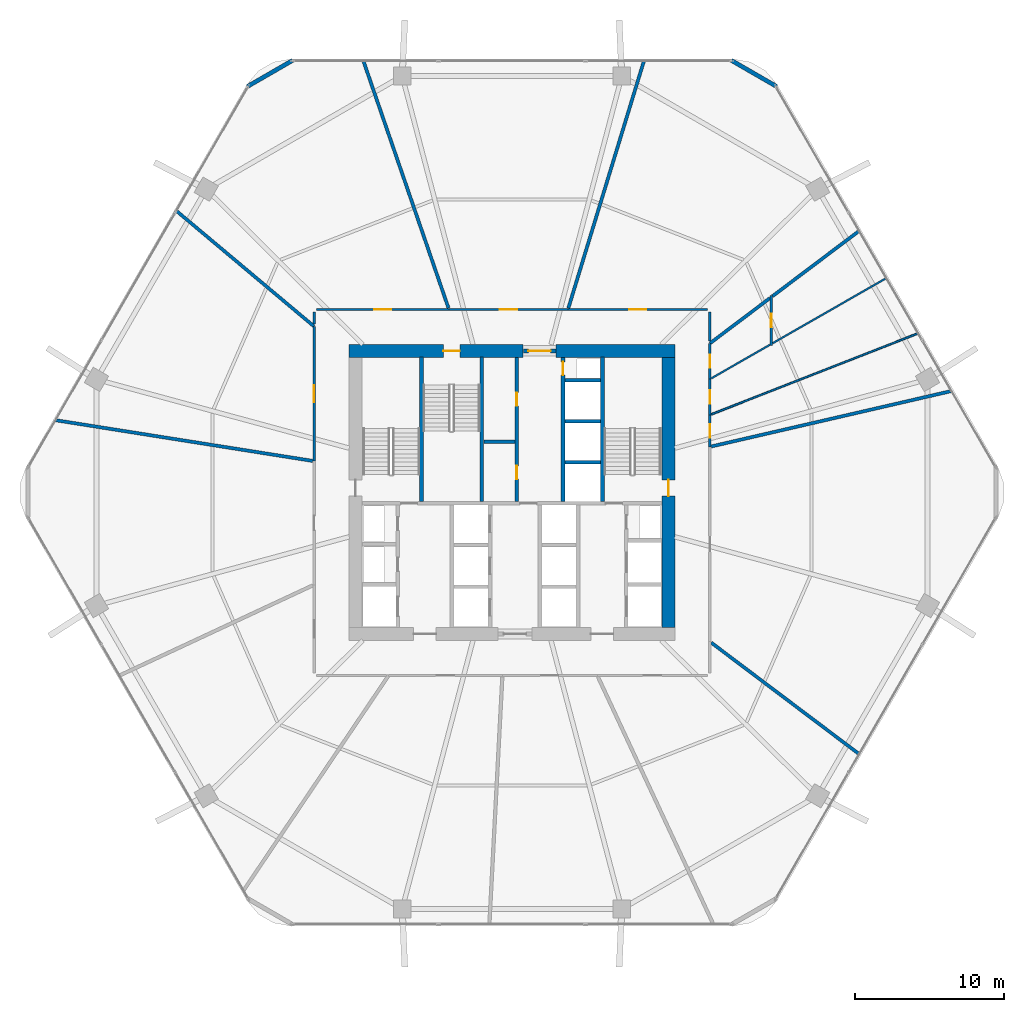
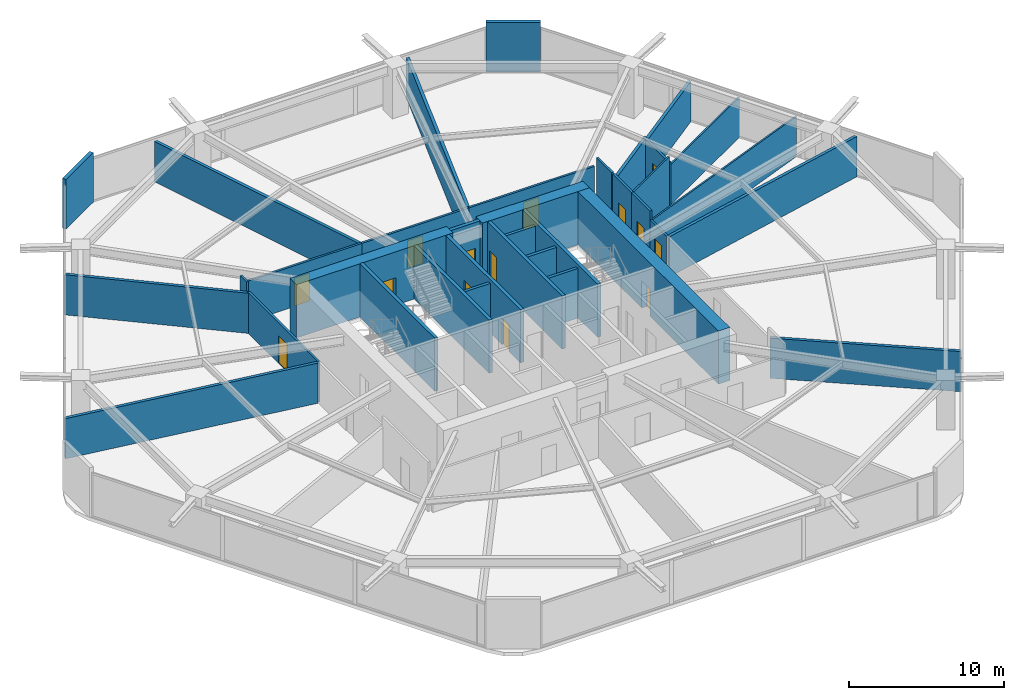
# One storey, part 23 of 25: 36 walls, 14 doors, 14 openings.
"""IFC4 building model written with IfcOpenShell, lengths in metres."""

from ifc_helpers import new_model, si_unit, direction, frame, frame_2d, origin, place, context, subcontext, project, spatial, rectangle, extrude, material, layer, layer_set, type_object, element, fill, save


model = new_model("IFC4")

# Units and contexts
model_context = context("Model", 3, precision=1e-05, world=origin(), true_north=direction((0.0, 1.0)))
body_context = subcontext(model_context, "Body", "Model", "MODEL_VIEW")
ifc_project = project(units=[si_unit("LENGTHUNIT", "METRE"), si_unit("AREAUNIT", "SQUARE_METRE"), si_unit("VOLUMEUNIT", "CUBIC_METRE"), si_unit("PLANEANGLEUNIT", "RADIAN"), si_unit("MASSUNIT", "GRAM", prefix="KILO")], contexts=[model_context])

# Site, building, storey
site_placement = place(None, origin())
site = spatial("IfcSite", under=ifc_project, at=site_placement, CompositionType="ELEMENT")
building_placement = place(site_placement, origin())
building = spatial("IfcBuilding", under=site, at=building_placement, Name="Zuhravey Tower", CompositionType="ELEMENT")
storey_placement = place(building_placement, frame((0.0, 0.0, 45.60009765625)))
storey = spatial("IfcBuildingStorey", under=building, at=storey_placement, Name="L11", CompositionType="ELEMENT", Elevation=45.60009765625)

# Wall
ifc_material_1 = material(Name="Concrete C60/75", Category="concrete")
ifc_layer_1 = layer(ifc_material_1, 0.85009765625)
ifc_layer_set_1 = layer_set([ifc_layer_1], Name="Concrete C60/75")
wall_type_1 = type_object("IfcWallType", Name="Core Shear Wall 850", PredefinedType="SHEAR", material=ifc_layer_set_1)
wall_1_placement = place(storey_placement, frame((46.925048828125, 41.5, 0.0), z_axis=(0.0, 0.0, 1.0), x_axis=(-1.0, 0.0, 0.0)))
element("IfcWall", 1, at=wall_1_placement, inside=storey, type_object=wall_type_1, Name="L11 North-East Core Shear Wall CW85", PredefinedType="SHEAR", context=body_context, shape_type="SweptSolid", body=[
    extrude(rectangle(XDim=7.97509765625, YDim=0.85009765625, at=frame_2d((3.987548828125, 0.0))), origin(), (0.0, 0.0, 1.0), 4.199951171875),
])

# Wall, opening, door
wall_2_placement = place(storey_placement, frame((36.75, 41.5, 0.0), z_axis=(0.0, 0.0, 1.0), x_axis=(-1.0, 0.0, 0.0)))
wall_2 = element("IfcWall", 2, at=wall_2_placement, inside=storey, type_object=wall_type_1, Name="L11 North-West Core Shear Wall CW85", PredefinedType="SHEAR", context=body_context, shape_type="SweptSolid", body=[
    extrude(rectangle(XDim=11.675048828125, YDim=0.85009765625, at=frame_2d((5.83740234375, 0.0))), origin(), (0.0, 0.0, 1.0), 4.199951171875),
])
opening_1_placement = place(wall_2_placement, frame((4.25, 0.0, 0.0)))
opening_1 = element("IfcOpeningElement", 3, at=opening_1_placement, cuts=wall_2, Name="Opening STD1", PredefinedType="OPENING", context=body_context, shape_type="SweptSolid", body=[
    extrude(rectangle(XDim=1.10009765625, YDim=2.14990234375, at=frame_2d((0.550048828125, 1.074951171875))), frame((0.0, 0.43701171875, 0.0), z_axis=(0.0, -1.0, 0.0), x_axis=(1.0, 0.0, 0.0)), (0.0, 0.0, 1.0), 0.8740234375),
])
ifc_material_2 = material(Name="Galvanised fire-rated steel leaf", Category="steel")
door_type_1 = type_object("IfcDoorType", Name="Protected Stair Fire Door 1100x2150", OperationType="NOTDEFINED", PredefinedType="USERDEFINED", material=ifc_material_2)
door_1_placement = place(opening_1_placement, origin())
door_1 = element("IfcDoor", 4, at=door_1_placement, inside=storey, type_object=door_type_1, Name="L11 Stair ST3 Door", ObjectType="EXITDOOR", OperationType="SINGLE_SWING_LEFT", OverallHeight=2.14990234375, OverallWidth=1.10009765625, PredefinedType="USERDEFINED", context=body_context, shape_type="SweptSolid", body=[
    extrude(rectangle(XDim=1.10009765625, YDim=2.14990234375, at=frame_2d((0.550048828125, 1.074951171875))), frame((0.0, 0.02490234375, 0.0), z_axis=(0.0, -1.0, 0.0), x_axis=(1.0, 0.0, 0.0)), (0.0, 0.0, 1.0), 0.050048828125),
])
fill(opening_1, door_1)

wall_3_placement = place(storey_placement, frame((46.5, 22.925048828125, 0.0), z_axis=(0.0, 0.0, 1.0), x_axis=(0.0, 1.0, 0.0)))
wall_3 = element("IfcWall", 5, at=wall_3_placement, inside=storey, type_object=wall_type_1, Name="L11 East Core Shear Wall CW85", PredefinedType="SHEAR", context=body_context, shape_type="SweptSolid", body=[
    extrude(rectangle(XDim=18.14990234375, YDim=0.85009765625, at=frame_2d((9.074951171875, 0.0))), origin(), (0.0, 0.0, 1.0), 4.199951171875),
])
opening_2_placement = place(wall_3_placement, frame((8.824951171875, 0.0, 0.0)))
opening_2 = element("IfcOpeningElement", 6, at=opening_2_placement, cuts=wall_3, Name="Opening STD1", PredefinedType="OPENING", context=body_context, shape_type="SweptSolid", body=[
    extrude(rectangle(XDim=1.10009765625, YDim=2.14990234375, at=frame_2d((0.550048828125, 1.074951171875))), frame((0.0, 0.43701171875, 0.0), z_axis=(0.0, -1.0, 0.0), x_axis=(1.0, 0.0, 0.0)), (0.0, 0.0, 1.0), 0.8740234375),
])
door_2_placement = place(opening_2_placement, origin())
door_2 = element("IfcDoor", 7, at=door_2_placement, inside=storey, type_object=door_type_1, Name="L11 Stair ST2 Door", ObjectType="EXITDOOR", OperationType="SINGLE_SWING_RIGHT", OverallHeight=2.14990234375, OverallWidth=1.10009765625, PredefinedType="USERDEFINED", context=body_context, shape_type="SweptSolid", body=[
    extrude(rectangle(XDim=1.10009765625, YDim=2.14990234375, at=frame_2d((0.550048828125, 1.074951171875))), frame((0.0, 0.02490234375, 0.0), z_axis=(0.0, -1.0, 0.0), x_axis=(1.0, 0.0, 0.0)), (0.0, 0.0, 1.0), 0.050048828125),
])
fill(opening_2, door_2)

ifc_material_3 = material(Name="Gypsum fire-rated stud partition")
ifc_layer_2 = layer(ifc_material_3, 0.159912109375)
ifc_layer_set_2 = layer_set([ifc_layer_2], Name="Gypsum fire-rated stud partition")
wall_type_2 = type_object("IfcWallType", Name="Corridor Fire Partition 160", PredefinedType="PARTITIONING", material=ifc_layer_set_2)
wall_4_placement = place(storey_placement, frame((49.284912109375, 35.067138671875, 0.0), z_axis=(0.0, 0.0, 1.0), x_axis=(0.0, 1.0, 0.0)))
wall_4 = element("IfcWall", 8, at=wall_4_placement, inside=storey, type_object=wall_type_2, Name="L11 IW16 Partition 019", PredefinedType="PARTITIONING", context=body_context, shape_type="SweptSolid", body=[
    extrude(rectangle(XDim=2.13916015625, YDim=0.159912109375, at=frame_2d((1.069580078125, 0.0))), origin(), (0.0, 0.0, 1.0), 3.219970703125),
])
opening_3_placement = place(wall_4_placement, frame((0.61962890625, 0.0, 0.0)))
opening_3 = element("IfcOpeningElement", 9, at=opening_3_placement, cuts=wall_4, Name="Opening RSD1", PredefinedType="OPENING", context=body_context, shape_type="SweptSolid", body=[
    extrude(rectangle(XDim=0.89990234375, YDim=2.10009765625, at=frame_2d((0.449951171875, 1.050048828125))), frame((0.0, 0.092041015625, 0.0), z_axis=(0.0, -1.0, 0.0), x_axis=(1.0, 0.0, 0.0)), (0.0, 0.0, 1.0), 0.183837890625),
])
ifc_material_4 = material(Name="Galvanised fire-rated steel access leaf", Category="steel")
door_type_2 = type_object("IfcDoorType", Name="Riser & Shaft Access Fire Door 900x2100", OperationType="NOTDEFINED", PredefinedType="DOOR", material=ifc_material_4)
door_3_placement = place(opening_3_placement, frame((0.89990234375, 0.0, 0.0), z_axis=(0.0, 0.0, 1.0), x_axis=(-1.0, 0.0, 0.0)))
door_3 = element("IfcDoor", 10, at=door_3_placement, inside=storey, type_object=door_type_2, Name="L11 Door 019.1", OperationType="SINGLE_SWING_LEFT", OverallHeight=2.10009765625, OverallWidth=0.89990234375, PredefinedType="DOOR", context=body_context, shape_type="SweptSolid", body=[
    extrude(rectangle(XDim=0.89990234375, YDim=2.10009765625, at=frame_2d((0.449951171875, 1.050048828125))), frame((0.0, 0.02490234375, 0.0), z_axis=(0.0, -1.0, 0.0), x_axis=(1.0, 0.0, 0.0)), (0.0, 0.0, 1.0), 0.050048828125),
])
fill(opening_3, door_3)

wall_5_placement = place(storey_placement, frame((49.284912109375, 37.206298828125, 0.0), z_axis=(0.0, 0.0, 1.0), x_axis=(0.0, 1.0, 0.0)))
wall_5 = element("IfcWall", 11, at=wall_5_placement, inside=storey, type_object=wall_type_2, Name="L11 IW16 Partition 020", PredefinedType="PARTITIONING", context=body_context, shape_type="SweptSolid", body=[
    extrude(rectangle(XDim=2.402099609375, YDim=0.159912109375, at=frame_2d((1.201171875, 0.0))), origin(), (0.0, 0.0, 1.0), 3.919921875),
])
opening_4_placement = place(wall_5_placement, frame((0.751220703125, 0.0, 0.0)))
opening_4 = element("IfcOpeningElement", 12, at=opening_4_placement, cuts=wall_5, Name="Opening RSD1", PredefinedType="OPENING", context=body_context, shape_type="SweptSolid", body=[
    extrude(rectangle(XDim=0.89990234375, YDim=2.10009765625, at=frame_2d((0.449951171875, 1.050048828125))), frame((0.0, 0.092041015625, 0.0), z_axis=(0.0, -1.0, 0.0), x_axis=(1.0, 0.0, 0.0)), (0.0, 0.0, 1.0), 0.183837890625),
])
door_4_placement = place(opening_4_placement, frame((0.89990234375, 0.0, 0.0), z_axis=(0.0, 0.0, 1.0), x_axis=(-1.0, 0.0, 0.0)))
door_4 = element("IfcDoor", 13, at=door_4_placement, inside=storey, type_object=door_type_2, Name="L11 Door 020.1", OperationType="SINGLE_SWING_RIGHT", OverallHeight=2.10009765625, OverallWidth=0.89990234375, PredefinedType="DOOR", context=body_context, shape_type="SweptSolid", body=[
    extrude(rectangle(XDim=0.89990234375, YDim=2.10009765625, at=frame_2d((0.449951171875, 1.050048828125))), frame((0.0, 0.02490234375, 0.0), z_axis=(0.0, -1.0, 0.0), x_axis=(1.0, 0.0, 0.0)), (0.0, 0.0, 1.0), 0.050048828125),
])
fill(opening_4, door_4)

wall_6_placement = place(storey_placement, frame((53.405029296875, 45.2158203125, 0.0), z_axis=(0.0, 0.0, 1.0), x_axis=(0.0, -1.0, 0.0)))
wall_6 = element("IfcWall", 14, at=wall_6_placement, inside=storey, type_object=wall_type_2, Name="L11 IW16 Partition 021", PredefinedType="PARTITIONING", context=body_context, shape_type="SweptSolid", body=[
    extrude(rectangle(XDim=3.340087890625, YDim=0.159912109375, at=frame_2d((1.669921875, 0.0))), origin(), (0.0, 0.0, 1.0), 3.469970703125),
])
opening_5_placement = place(wall_6_placement, frame((1.219970703125, 0.0, 0.0)))
opening_5 = element("IfcOpeningElement", 15, at=opening_5_placement, cuts=wall_6, Name="Opening RSD1", PredefinedType="OPENING", context=body_context, shape_type="SweptSolid", body=[
    extrude(rectangle(XDim=0.89990234375, YDim=2.10009765625, at=frame_2d((0.449951171875, 1.050048828125))), frame((0.0, 0.092041015625, 0.0), z_axis=(0.0, -1.0, 0.0), x_axis=(1.0, 0.0, 0.0)), (0.0, 0.0, 1.0), 0.183837890625),
])
door_5_placement = place(opening_5_placement, origin())
door_5 = element("IfcDoor", 16, at=door_5_placement, inside=storey, type_object=door_type_2, Name="L11 Door 021.1", OperationType="SINGLE_SWING_LEFT", OverallHeight=2.10009765625, OverallWidth=0.89990234375, PredefinedType="DOOR", context=body_context, shape_type="SweptSolid", body=[
    extrude(rectangle(XDim=0.89990234375, YDim=2.10009765625, at=frame_2d((0.449951171875, 1.050048828125))), frame((0.0, 0.02490234375, 0.0), z_axis=(0.0, -1.0, 0.0), x_axis=(1.0, 0.0, 0.0)), (0.0, 0.0, 1.0), 0.050048828125),
])
fill(opening_5, door_5)

wall_7_placement = place(storey_placement, frame((49.284912109375, 39.6083984375, 0.0), z_axis=(0.0, 0.0, 1.0), x_axis=(0.0, 1.0, 0.0)))
wall_7 = element("IfcWall", 17, at=wall_7_placement, inside=storey, type_object=wall_type_2, Name="L11 IW16 Partition 022", PredefinedType="PARTITIONING", context=body_context, shape_type="SweptSolid", body=[
    extrude(rectangle(XDim=2.402587890625, YDim=0.159912109375, at=frame_2d((1.201171875, 0.0))), origin(), (0.0, 0.0, 1.0), 3.919921875),
])
opening_6_placement = place(wall_7_placement, frame((0.751220703125, 0.0, 0.0)))
opening_6 = element("IfcOpeningElement", 18, at=opening_6_placement, cuts=wall_7, Name="Opening RSD1", PredefinedType="OPENING", context=body_context, shape_type="SweptSolid", body=[
    extrude(rectangle(XDim=0.89990234375, YDim=2.10009765625, at=frame_2d((0.449951171875, 1.050048828125))), frame((0.0, 0.092041015625, 0.0), z_axis=(0.0, -1.0, 0.0), x_axis=(1.0, 0.0, 0.0)), (0.0, 0.0, 1.0), 0.183837890625),
])
door_6_placement = place(opening_6_placement, frame((0.89990234375, 0.0, 0.0), z_axis=(0.0, 0.0, 1.0), x_axis=(-1.0, 0.0, 0.0)))
door_6 = element("IfcDoor", 19, at=door_6_placement, inside=storey, type_object=door_type_2, Name="L11 Door 022.1", OperationType="SINGLE_SWING_RIGHT", OverallHeight=2.10009765625, OverallWidth=0.89990234375, PredefinedType="DOOR", context=body_context, shape_type="SweptSolid", body=[
    extrude(rectangle(XDim=0.89990234375, YDim=2.10009765625, at=frame_2d((0.449951171875, 1.050048828125))), frame((0.0, 0.02490234375, 0.0), z_axis=(0.0, -1.0, 0.0), x_axis=(1.0, 0.0, 0.0)), (0.0, 0.0, 1.0), 0.050048828125),
])
fill(opening_6, door_6)

wall_8_placement = place(storey_placement, frame((49.125, 44.284912109375, 0.0), z_axis=(0.0, 0.0, 1.0), x_axis=(-1.0, 0.0, 0.0)))
wall_8 = element("IfcWall", 20, at=wall_8_placement, inside=storey, type_object=wall_type_2, Name="L11 IW16 Partition 023", PredefinedType="PARTITIONING", context=body_context, shape_type="SweptSolid", body=[
    extrude(rectangle(XDim=9.369140625, YDim=0.159912109375, at=frame_2d((4.6845703125, 0.0))), origin(), (0.0, 0.0, 1.0), 3.219970703125),
])
opening_7_placement = place(wall_8_placement, frame((4.109619140625, 0.0, 0.0)))
opening_7 = element("IfcOpeningElement", 21, at=opening_7_placement, cuts=wall_8, Name="Opening CLD1", PredefinedType="OPENING", context=body_context, shape_type="SweptSolid", body=[
    extrude(rectangle(XDim=1.14990234375, YDim=2.199951171875, at=frame_2d((0.574951171875, 1.10009765625))), frame((0.0, 0.092041015625, 0.0), z_axis=(0.0, -1.0, 0.0), x_axis=(1.0, 0.0, 0.0)), (0.0, 0.0, 1.0), 0.183837890625),
])
ifc_material_5 = material(Name="Acoustic timber leaf with vision lite", Category="wood")
door_type_3 = type_object("IfcDoorType", Name="Classroom Acoustic Door 1150x2200", OperationType="NOTDEFINED", PredefinedType="DOOR", material=ifc_material_5)
door_7_placement = place(opening_7_placement, frame((1.14990234375, 0.0, 0.0), z_axis=(0.0, 0.0, 1.0), x_axis=(-1.0, 0.0, 0.0)))
door_7 = element("IfcDoor", 22, at=door_7_placement, inside=storey, type_object=door_type_3, Name="L11 Door 023.1", OperationType="SINGLE_SWING_LEFT", OverallHeight=2.199951171875, OverallWidth=1.14990234375, PredefinedType="DOOR", context=body_context, shape_type="SweptSolid", body=[
    extrude(rectangle(XDim=1.14990234375, YDim=2.199951171875, at=frame_2d((0.574951171875, 1.10009765625))), frame((0.0, 0.02490234375, 0.0), z_axis=(0.0, -1.0, 0.0), x_axis=(1.0, 0.0, 0.0)), (0.0, 0.0, 1.0), 0.050048828125),
])
fill(opening_7, door_7)

wall_9_placement = place(storey_placement, frame((39.755859375, 44.284912109375, 0.0), z_axis=(0.0, 0.0, 1.0), x_axis=(-1.0, 0.0, 0.0)))
wall_9 = element("IfcWall", 23, at=wall_9_placement, inside=storey, type_object=wall_type_2, Name="L11 IW16 Partition 024", PredefinedType="PARTITIONING", context=body_context, shape_type="SweptSolid", body=[
    extrude(rectangle(XDim=7.98583984375, YDim=0.159912109375, at=frame_2d((3.992919921875, 0.0))), origin(), (0.0, 0.0, 1.0), 3.219970703125),
])
opening_8_placement = place(wall_9_placement, frame((3.41796875, 0.0, 0.0)))
opening_8 = element("IfcOpeningElement", 24, at=opening_8_placement, cuts=wall_9, Name="Opening CLD1", PredefinedType="OPENING", context=body_context, shape_type="SweptSolid", body=[
    extrude(rectangle(XDim=1.14990234375, YDim=2.199951171875, at=frame_2d((0.574951171875, 1.10009765625))), frame((0.0, 0.092041015625, 0.0), z_axis=(0.0, -1.0, 0.0), x_axis=(1.0, 0.0, 0.0)), (0.0, 0.0, 1.0), 0.183837890625),
])
door_8_placement = place(opening_8_placement, frame((1.14990234375, 0.0, 0.0), z_axis=(0.0, 0.0, 1.0), x_axis=(-1.0, 0.0, 0.0)))
door_8 = element("IfcDoor", 25, at=door_8_placement, inside=storey, type_object=door_type_3, Name="L11 Door 024.1", OperationType="SINGLE_SWING_RIGHT", OverallHeight=2.199951171875, OverallWidth=1.14990234375, PredefinedType="DOOR", context=body_context, shape_type="SweptSolid", body=[
    extrude(rectangle(XDim=1.14990234375, YDim=2.199951171875, at=frame_2d((0.574951171875, 1.10009765625))), frame((0.0, 0.02490234375, 0.0), z_axis=(0.0, -1.0, 0.0), x_axis=(1.0, 0.0, 0.0)), (0.0, 0.0, 1.0), 0.050048828125),
])
fill(opening_8, door_8)

wall_10_placement = place(storey_placement, frame((31.77001953125, 44.284912109375, 0.0), z_axis=(0.0, 0.0, 1.0), x_axis=(-1.0, 0.0, 0.0)))
wall_10 = element("IfcWall", 26, at=wall_10_placement, inside=storey, type_object=wall_type_2, Name="L11 IW16 Partition 025", PredefinedType="PARTITIONING", context=body_context, shape_type="SweptSolid", body=[
    extrude(rectangle(XDim=8.89501953125, YDim=0.159912109375, at=frame_2d((4.447509765625, 0.0))), origin(), (0.0, 0.0, 1.0), 3.219970703125),
])
opening_9_placement = place(wall_10_placement, frame((3.872314453125, 0.0, 0.0)))
opening_9 = element("IfcOpeningElement", 27, at=opening_9_placement, cuts=wall_10, Name="Opening CLD1", PredefinedType="OPENING", context=body_context, shape_type="SweptSolid", body=[
    extrude(rectangle(XDim=1.14990234375, YDim=2.199951171875, at=frame_2d((0.574951171875, 1.10009765625))), frame((0.0, 0.092041015625, 0.0), z_axis=(0.0, -1.0, 0.0), x_axis=(1.0, 0.0, 0.0)), (0.0, 0.0, 1.0), 0.183837890625),
])
door_9_placement = place(opening_9_placement, frame((1.14990234375, 0.0, 0.0), z_axis=(0.0, 0.0, 1.0), x_axis=(-1.0, 0.0, 0.0)))
door_9 = element("IfcDoor", 28, at=door_9_placement, inside=storey, type_object=door_type_3, Name="L11 Door 025.1", OperationType="SINGLE_SWING_LEFT", OverallHeight=2.199951171875, OverallWidth=1.14990234375, PredefinedType="DOOR", context=body_context, shape_type="SweptSolid", body=[
    extrude(rectangle(XDim=1.14990234375, YDim=2.199951171875, at=frame_2d((0.574951171875, 1.10009765625))), frame((0.0, 0.02490234375, 0.0), z_axis=(0.0, -1.0, 0.0), x_axis=(1.0, 0.0, 0.0)), (0.0, 0.0, 1.0), 0.050048828125),
])
fill(opening_9, door_9)

wall_11_placement = place(storey_placement, frame((22.715087890625, 43.1474609375, 0.0), z_axis=(0.0, 0.0, 1.0), x_axis=(0.0, -1.0, 0.0)))
wall_11 = element("IfcWall", 29, at=wall_11_placement, inside=storey, type_object=wall_type_2, Name="L11 IW16 Partition 026", PredefinedType="PARTITIONING", context=body_context, shape_type="SweptSolid", body=[
    extrude(rectangle(XDim=9.04345703125, YDim=0.159912109375, at=frame_2d((4.521728515625, 0.0))), origin(), (0.0, 0.0, 1.0), 3.219970703125),
])
opening_10_placement = place(wall_11_placement, frame((3.946533203125, 0.0, 0.0)))
opening_10 = element("IfcOpeningElement", 30, at=opening_10_placement, cuts=wall_11, Name="Opening CLD1", PredefinedType="OPENING", context=body_context, shape_type="SweptSolid", body=[
    extrude(rectangle(XDim=1.14990234375, YDim=2.199951171875, at=frame_2d((0.574951171875, 1.10009765625))), frame((0.0, 0.092041015625, 0.0), z_axis=(0.0, -1.0, 0.0), x_axis=(1.0, 0.0, 0.0)), (0.0, 0.0, 1.0), 0.183837890625),
])
door_10_placement = place(opening_10_placement, frame((1.14990234375, 0.0, 0.0), z_axis=(0.0, 0.0, 1.0), x_axis=(-1.0, 0.0, 0.0)))
door_10 = element("IfcDoor", 31, at=door_10_placement, inside=storey, type_object=door_type_3, Name="L11 Door 026.1", OperationType="SINGLE_SWING_RIGHT", OverallHeight=2.199951171875, OverallWidth=1.14990234375, PredefinedType="DOOR", context=body_context, shape_type="SweptSolid", body=[
    extrude(rectangle(XDim=1.14990234375, YDim=2.199951171875, at=frame_2d((0.574951171875, 1.10009765625))), frame((0.0, 0.02490234375, 0.0), z_axis=(0.0, -1.0, 0.0), x_axis=(1.0, 0.0, 0.0)), (0.0, 0.0, 1.0), 0.050048828125),
])
fill(opening_10, door_10)

# Walls
wall_12_placement = place(storey_placement, frame((49.284912109375, 42.15869140625, 0.0), z_axis=(0.0, 0.0, 1.0), x_axis=(0.0, 1.0, 0.0)))
element("IfcWall", 32, at=wall_12_placement, inside=storey, type_object=wall_type_2, Name="L11 IW16 Partition 048", PredefinedType="PARTITIONING", context=body_context, shape_type="SweptSolid", body=[
    extrude(rectangle(XDim=1.96630859375, YDim=0.159912109375, at=frame_2d((0.983154296875, 0.0))), origin(), (0.0, 0.0, 1.0), 3.919921875),
])
wall_13_placement = place(storey_placement, frame((22.715087890625, 44.125, 0.0), z_axis=(0.0, 0.0, 1.0), x_axis=(0.0, -1.0, 0.0)))
element("IfcWall", 33, at=wall_13_placement, inside=storey, type_object=wall_type_2, Name="L11 IW16 Partition 051", PredefinedType="PARTITIONING", context=body_context, shape_type="SweptSolid", body=[
    extrude(rectangle(XDim=0.823486328125, YDim=0.159912109375, at=frame_2d((0.41162109375, 0.0))), origin(), (0.0, 0.0, 1.0), 3.919921875),
])
ifc_material_6 = material(Name="Precast concrete C40/50", Category="concrete")
ifc_layer_3 = layer(ifc_material_6, 0.280029296875)
ifc_layer_set_3 = layer_set([ifc_layer_3], Name="Precast concrete C40/50")
wall_type_3 = type_object("IfcWallType", Name="Crown Architectural Wall 280", PredefinedType="SOLIDWALL", material=ifc_layer_set_3)
for number, where, z_axis, x_axis, name in (
    (34, (18.23876953125, 59.24853515625, 0.0), (0.0, 0.0, 1.0), (0.866007452331, 0.500031091541, 0.0), "L11 Rounded Corner Closure Wall EW28-08"),
    (35, (50.71728515625, 61.006103515625, 0.0), (0.0, 0.0, 1.0), (0.866007452331, -0.500031091541, 0.0), "L11 Rounded Corner Closure Wall EW28-10"),
):
    element("IfcWall", number, at=place(storey_placement, frame(where, z_axis=z_axis, x_axis=x_axis)), inside=storey, type_object=wall_type_3, Name=name, PredefinedType="SOLIDWALL", context=body_context, shape_type="SweptSolid", body=[
        extrude(rectangle(XDim=3.514892578125, YDim=0.280029296875, at=frame_2d((1.75732421875, 0.0))), origin(), (0.0, 0.0, 1.0), 3.919921875),
    ])

# Wall, opening, door
ifc_material_7 = material(Name="Concrete C50/60", Category="concrete")
ifc_layer_4 = layer(ifc_material_7, 0.25)
ifc_layer_set_4 = layer_set([ifc_layer_4], Name="Concrete C50/60")
wall_type_4 = type_object("IfcWallType", Name="Firefighting Shaft & Stair Wall 250", PredefinedType="SOLIDWALL", material=ifc_layer_set_4)
wall_14_placement = place(storey_placement, frame((36.760009765625, 41.5, 0.0), z_axis=(0.0, 0.0, 1.0), x_axis=(1.0, 0.0, 0.0)))
wall_14 = element("IfcWall", 36, at=wall_14_placement, inside=storey, type_object=wall_type_4, Name="L11 FW25 Shaft Wall 002", PredefinedType="SOLIDWALL", context=body_context, shape_type="SweptSolid", body=[
    extrude(rectangle(XDim=2.179931640625, YDim=0.25, at=frame_2d((1.08984375, 0.0))), origin(), (0.0, 0.0, 1.0), 4.199951171875),
])
opening_11_placement = place(wall_14_placement, frame((0.340087890625, 0.0, 0.0)))
opening_11 = element("IfcOpeningElement", 37, at=opening_11_placement, cuts=wall_14, Name="Opening FFD1", PredefinedType="OPENING", context=body_context, shape_type="SweptSolid", body=[
    extrude(rectangle(XDim=1.5, YDim=2.14990234375, at=frame_2d((0.75, 1.074951171875))), frame((0.0, 0.136962890625, 0.0), z_axis=(0.0, -1.0, 0.0), x_axis=(1.0, 0.0, 0.0)), (0.0, 0.0, 1.0), 0.27392578125),
])
door_type_4 = type_object("IfcDoorType", Name="Firefighting Lobby Double Door 1500x2150", OperationType="DOUBLE_DOOR_SINGLE_SWING", PredefinedType="DOOR", material=ifc_material_2)
door_11_placement = place(opening_11_placement, origin())
door_11 = element("IfcDoor", 38, at=door_11_placement, inside=storey, type_object=door_type_4, Name="L11 North Lift Lobby Exit Door", OperationType="DOUBLE_DOOR_SINGLE_SWING", OverallHeight=2.14990234375, OverallWidth=1.5, PredefinedType="DOOR", context=body_context, shape_type="SweptSolid", body=[
    extrude(rectangle(XDim=1.5, YDim=2.14990234375, at=frame_2d((0.75, 1.074951171875))), frame((0.0, 0.02490234375, 0.0), z_axis=(0.0, -1.0, 0.0), x_axis=(1.0, 0.0, 0.0)), (0.0, 0.0, 1.0), 0.050048828125),
])
fill(opening_11, door_11)

# Walls
for number, where, z_axis, x_axis, name in (
    (39, (29.925048828125, 31.39990234375, 0.0), (0.0, 0.0, 1.0), (0.0, 1.0, 0.0), "L11 FW25 Shaft Wall 004"),
    (40, (33.97509765625, 31.39990234375, 0.0), (0.0, 0.0, 1.0), (0.0, 1.0, 0.0), "L11 FW25 Shaft Wall 005"),
    (41, (42.074951171875, 31.39990234375, 0.0), (0.0, 0.0, 1.0), (0.0, 1.0, 0.0), "L11 FW25 Shaft Wall 006"),
):
    element("IfcWall", number, at=place(storey_placement, frame(where, z_axis=z_axis, x_axis=x_axis)), inside=storey, type_object=wall_type_4, Name=name, PredefinedType="SOLIDWALL", context=body_context, shape_type="SweptSolid", body=[
        extrude(rectangle(XDim=9.7001953125, YDim=0.25, at=frame_2d((4.85009765625, 0.0))), origin(), (0.0, 0.0, 1.0), 4.199951171875),
    ])

# Wall, openings, doors
wall_15_placement = place(storey_placement, frame((36.324951171875, 31.39990234375, 0.0), z_axis=(0.0, 0.0, 1.0), x_axis=(0.0, 1.0, 0.0)))
wall_15 = element("IfcWall", 42, at=wall_15_placement, inside=storey, type_object=wall_type_4, Name="L11 FW25 Shaft Wall 007", PredefinedType="SOLIDWALL", context=body_context, shape_type="SweptSolid", body=[
    extrude(rectangle(XDim=9.650146484375, YDim=0.25, at=frame_2d((4.8251953125, 0.0))), origin(), (0.0, 0.0, 1.0), 4.199951171875),
])
opening_12_placement = place(wall_15_placement, frame((1.489990234375, 0.0, 0.0)))
opening_12 = element("IfcOpeningElement", 43, at=opening_12_placement, cuts=wall_15, Name="Opening RSD1", PredefinedType="OPENING", context=body_context, shape_type="SweptSolid", body=[
    extrude(rectangle(XDim=0.89990234375, YDim=2.10009765625, at=frame_2d((0.449951171875, 1.050048828125))), frame((0.0, 0.136962890625, 0.0), z_axis=(0.0, -1.0, 0.0), x_axis=(1.0, 0.0, 0.0)), (0.0, 0.0, 1.0), 0.27392578125),
])
opening_13_placement = place(wall_15_placement, frame((6.409912109375, 0.0, 0.0)))
opening_13 = element("IfcOpeningElement", 44, at=opening_13_placement, cuts=wall_15, Name="Opening RSD1", PredefinedType="OPENING", context=body_context, shape_type="SweptSolid", body=[
    extrude(rectangle(XDim=0.89990234375, YDim=2.10009765625, at=frame_2d((0.449951171875, 1.050048828125))), frame((0.0, 0.136962890625, 0.0), z_axis=(0.0, -1.0, 0.0), x_axis=(1.0, 0.0, 0.0)), (0.0, 0.0, 1.0), 0.27392578125),
])
door_12_placement = place(opening_12_placement, origin())
door_12 = element("IfcDoor", 45, at=door_12_placement, inside=storey, type_object=door_type_2, Name="L11 Core Cleaner Store Door", OperationType="SINGLE_SWING_LEFT", OverallHeight=2.10009765625, OverallWidth=0.89990234375, PredefinedType="DOOR", context=body_context, shape_type="SweptSolid", body=[
    extrude(rectangle(XDim=0.89990234375, YDim=2.10009765625, at=frame_2d((0.449951171875, 1.050048828125))), frame((0.0, 0.02490234375, 0.0), z_axis=(0.0, -1.0, 0.0), x_axis=(1.0, 0.0, 0.0)), (0.0, 0.0, 1.0), 0.050048828125),
])
fill(opening_12, door_12)
door_13_placement = place(opening_13_placement, origin())
door_13 = element("IfcDoor", 46, at=door_13_placement, inside=storey, type_object=door_type_2, Name="L11 Core Pantry and Tea Room Door", OperationType="SINGLE_SWING_RIGHT", OverallHeight=2.10009765625, OverallWidth=0.89990234375, PredefinedType="DOOR", context=body_context, shape_type="SweptSolid", body=[
    extrude(rectangle(XDim=0.89990234375, YDim=2.10009765625, at=frame_2d((0.449951171875, 1.050048828125))), frame((0.0, 0.02490234375, 0.0), z_axis=(0.0, -1.0, 0.0), x_axis=(1.0, 0.0, 0.0)), (0.0, 0.0, 1.0), 0.050048828125),
])
fill(opening_13, door_13)

# Wall, opening, door
wall_16_placement = place(storey_placement, frame((39.425048828125, 31.39990234375, 0.0), z_axis=(0.0, 0.0, 1.0), x_axis=(0.0, 1.0, 0.0)))
wall_16 = element("IfcWall", 47, at=wall_16_placement, inside=storey, type_object=wall_type_4, Name="L11 FW25 Shaft Wall 008", PredefinedType="SOLIDWALL", context=body_context, shape_type="SweptSolid", body=[
    extrude(rectangle(XDim=9.650146484375, YDim=0.25, at=frame_2d((4.8251953125, 0.0))), origin(), (0.0, 0.0, 1.0), 4.199951171875),
])
opening_14_placement = place(wall_16_placement, frame((8.469970703125, 0.0, 0.0)))
opening_14 = element("IfcOpeningElement", 48, at=opening_14_placement, cuts=wall_16, Name="Opening RSD1", PredefinedType="OPENING", context=body_context, shape_type="SweptSolid", body=[
    extrude(rectangle(XDim=0.89990234375, YDim=2.10009765625, at=frame_2d((0.449951171875, 1.050048828125))), frame((0.0, 0.136962890625, 0.0), z_axis=(0.0, -1.0, 0.0), x_axis=(1.0, 0.0, 0.0)), (0.0, 0.0, 1.0), 0.27392578125),
])
door_14_placement = place(opening_14_placement, origin())
door_14 = element("IfcDoor", 49, at=door_14_placement, inside=storey, type_object=door_type_2, Name="L11 North Riser Door", OperationType="SINGLE_SWING_LEFT", OverallHeight=2.10009765625, OverallWidth=0.89990234375, PredefinedType="DOOR", context=body_context, shape_type="SweptSolid", body=[
    extrude(rectangle(XDim=0.89990234375, YDim=2.10009765625, at=frame_2d((0.449951171875, 1.050048828125))), frame((0.0, 0.02490234375, 0.0), z_axis=(0.0, -1.0, 0.0), x_axis=(1.0, 0.0, 0.0)), (0.0, 0.0, 1.0), 0.050048828125),
])
fill(opening_14, door_14)

# Walls
ifc_material_8 = material(Name="Gypsum acoustic stud assembly")
ifc_layer_5 = layer(ifc_material_8, 0.219970703125)
ifc_layer_set_5 = layer_set([ifc_layer_5], Name="Gypsum acoustic stud assembly")
wall_type_5 = type_object("IfcWallType", Name="School Acoustic Compartment Wall 220", PredefinedType="PARTITIONING", material=ifc_layer_set_5)
wall_17_placement = place(storey_placement, frame((34.10791015625, 35.39990234375, 0.0), z_axis=(0.0, 0.0, 1.0), x_axis=(1.0, 0.0, 0.0)))
element("IfcWall", 50, at=wall_17_placement, inside=storey, type_object=wall_type_5, Name="L11 IW22 Partition 033", PredefinedType="PARTITIONING", context=body_context, shape_type="SweptSolid", body=[
    extrude(rectangle(XDim=2.083984375, YDim=0.219970703125, at=frame_2d((1.0419921875, 0.0))), origin(), (0.0, 0.0, 1.0), 3.919921875),
])
for number, where, z_axis, x_axis, name in (
    (51, (39.55810546875, 34.02490234375, 0.0), (0.0, 0.0, 1.0), (1.0, 0.0, 0.0), "L11 IW22 Partition 034"),
    (52, (39.55810546875, 36.77490234375, 0.0), (0.0, 0.0, 1.0), (1.0, 0.0, 0.0), "L11 IW22 Partition 035"),
    (53, (39.55810546875, 39.52490234375, 0.0), (0.0, 0.0, 1.0), (1.0, 0.0, 0.0), "L11 IW22 Partition 036"),
):
    element("IfcWall", number, at=place(storey_placement, frame(where, z_axis=z_axis, x_axis=x_axis)), inside=storey, type_object=wall_type_5, Name=name, PredefinedType="PARTITIONING", context=body_context, shape_type="SweptSolid", body=[
        extrude(rectangle(XDim=2.3837890625, YDim=0.219970703125, at=frame_2d((1.19189453125, 0.0))), origin(), (0.0, 0.0, 1.0), 3.919921875),
    ])
wall_18_placement = place(storey_placement, frame((49.373046875, 35.08740234375, 0.0), z_axis=(0.0, 0.0, 1.0), x_axis=(0.974368575461, 0.224957505217, 0.0)))
element("IfcWall", 54, at=wall_18_placement, inside=storey, type_object=wall_type_5, Name="L11 IW22 Partition 041", PredefinedType="PARTITIONING", context=body_context, shape_type="SweptSolid", body=[
    extrude(rectangle(XDim=16.556884765625, YDim=0.219970703125, at=frame_2d((8.2783203125, 0.0))), origin(), (0.0, 0.0, 1.0), 3.169921875),
])
wall_19_placement = place(storey_placement, frame((49.284912109375, 42.010986328125, 0.0), z_axis=(0.0, 0.0, 1.0), x_axis=(0.798634234908, 0.601816715315, 0.0)))
element("IfcWall", 55, at=wall_19_placement, inside=storey, type_object=wall_type_5, Name="L11 IW22 Partition 045", PredefinedType="PARTITIONING", context=body_context, shape_type="SweptSolid", body=[
    extrude(rectangle(XDim=5.048583984375, YDim=0.219970703125, at=frame_2d((2.5244140625, 0.0))), origin(), (0.0, 0.0, 1.0), 3.469970703125),
])
wall_20_placement = place(storey_placement, frame((53.492919921875, 45.181884765625, 0.0), z_axis=(0.0, 0.0, 1.0), x_axis=(0.798624171574, 0.60183006952, 0.0)))
element("IfcWall", 56, at=wall_20_placement, inside=storey, type_object=wall_type_5, Name="L11 IW22 Partition 046", PredefinedType="PARTITIONING", context=body_context, shape_type="SweptSolid", body=[
    extrude(rectangle(XDim=7.272216796875, YDim=0.219970703125, at=frame_2d((3.63623046875, 0.0))), origin(), (0.0, 0.0, 1.0), 3.169921875),
])
wall_21_placement = place(storey_placement, frame((39.78271484375, 44.373046875, 0.0), z_axis=(0.0, 0.0, 1.0), x_axis=(0.29237803707, 0.956302819947, 0.0)))
element("IfcWall", 57, at=wall_21_placement, inside=storey, type_object=wall_type_5, Name="L11 IW22 Partition 047", PredefinedType="PARTITIONING", context=body_context, shape_type="SweptSolid", body=[
    extrude(rectangle(XDim=17.34326171875, YDim=0.219970703125, at=frame_2d((8.671630859375, 0.0))), origin(), (0.0, 0.0, 1.0), 3.169921875),
])
wall_22_placement = place(storey_placement, frame((31.739501953125, 44.373046875, 0.0), z_axis=(0.0, 0.0, 1.0), x_axis=(-0.325561284918, 0.945520940943, 0.0)))
element("IfcWall", 58, at=wall_22_placement, inside=storey, type_object=wall_type_5, Name="L11 IW22 Partition 049", PredefinedType="PARTITIONING", context=body_context, shape_type="SweptSolid", body=[
    extrude(rectangle(XDim=17.541015625, YDim=0.219970703125, at=frame_2d((8.7705078125, 0.0))), origin(), (0.0, 0.0, 1.0), 3.169921875),
])
wall_23_placement = place(storey_placement, frame((22.715087890625, 43.1474609375, 0.0), z_axis=(0.0, 0.0, 1.0), x_axis=(-0.766043656225, 0.642788547469, 0.0)))
element("IfcWall", 59, at=wall_23_placement, inside=storey, type_object=wall_type_5, Name="L11 IW22 Partition 050", PredefinedType="PARTITIONING", context=body_context, shape_type="SweptSolid", body=[
    extrude(rectangle(XDim=12.06298828125, YDim=0.219970703125, at=frame_2d((6.031494140625, 0.0))), origin(), (0.0, 0.0, 1.0), 3.169921875),
])
wall_24_placement = place(storey_placement, frame((22.626953125, 34.1181640625, 0.0), z_axis=(0.0, 0.0, 1.0), x_axis=(-0.987689809262, 0.156425191961, 0.0)))
element("IfcWall", 60, at=wall_24_placement, inside=storey, type_object=wall_type_5, Name="L11 IW22 Partition 052", PredefinedType="PARTITIONING", context=body_context, shape_type="SweptSolid", body=[
    extrude(rectangle(XDim=17.478759765625, YDim=0.219970703125, at=frame_2d((8.7392578125, 0.0))), origin(), (0.0, 0.0, 1.0), 3.169921875),
])
wall_25_placement = place(storey_placement, frame((49.373046875, 21.922607421875, 0.0), z_axis=(0.0, 0.0, 1.0), x_axis=(0.798630996951, -0.601821012187, 0.0)))
element("IfcWall", 61, at=wall_25_placement, inside=storey, type_object=wall_type_5, Name="L11 IW22 Partition 059", PredefinedType="PARTITIONING", context=body_context, shape_type="SweptSolid", body=[
    extrude(rectangle(XDim=12.430908203125, YDim=0.219970703125, at=frame_2d((6.21533203125, 0.0))), origin(), (0.0, 0.0, 1.0), 3.169921875),
])
ifc_material_9 = material(Name="Gypsum metal-stud partition")
ifc_layer_6 = layer(ifc_material_9, 0.1201171875)
ifc_layer_set_6 = layer_set([ifc_layer_6], Name="Gypsum metal-stud partition")
wall_type_6 = type_object("IfcWallType", Name="Unit Internal Partition 120", PredefinedType="PARTITIONING", material=ifc_layer_set_6)
wall_26_placement = place(storey_placement, frame((49.373046875, 37.24072265625, 0.0), z_axis=(0.0, 0.0, 1.0), x_axis=(0.931056574404, 0.364874848761, 0.0)))
element("IfcWall", 62, at=wall_26_placement, inside=storey, type_object=wall_type_6, Name="L11 IW12 Partition 042", PredefinedType="PARTITIONING", context=body_context, shape_type="SweptSolid", body=[
    extrude(rectangle(XDim=14.924560546875, YDim=0.1201171875, at=frame_2d((7.46240234375, 0.0))), origin(), (0.0, 0.0, 1.0), 3.169921875),
])
wall_27_placement = place(storey_placement, frame((49.373046875, 39.65869140625, 0.0), z_axis=(0.0, 0.0, 1.0), x_axis=(0.867753476972, 0.496994872412, 0.0)))
element("IfcWall", 63, at=wall_27_placement, inside=storey, type_object=wall_type_6, Name="L11 IW12 Partition 043", PredefinedType="PARTITIONING", context=body_context, shape_type="SweptSolid", body=[
    extrude(rectangle(XDim=4.544921875, YDim=0.1201171875, at=frame_2d((2.2724609375, 0.0))), origin(), (0.0, 0.0, 1.0), 3.919921875),
])
wall_28_placement = place(storey_placement, frame((53.492919921875, 42.018310546875, 0.0), z_axis=(0.0, 0.0, 1.0), x_axis=(0.867773256473, 0.496960335791, 0.0)))
element("IfcWall", 64, at=wall_28_placement, inside=storey, type_object=wall_type_6, Name="L11 IW12 Partition 044", PredefinedType="PARTITIONING", context=body_context, shape_type="SweptSolid", body=[
    extrude(rectangle(XDim=8.800048828125, YDim=0.1201171875, at=frame_2d((4.39990234375, 0.0))), origin(), (0.0, 0.0, 1.0), 3.169921875),
])

save(model, "model.ifc")
